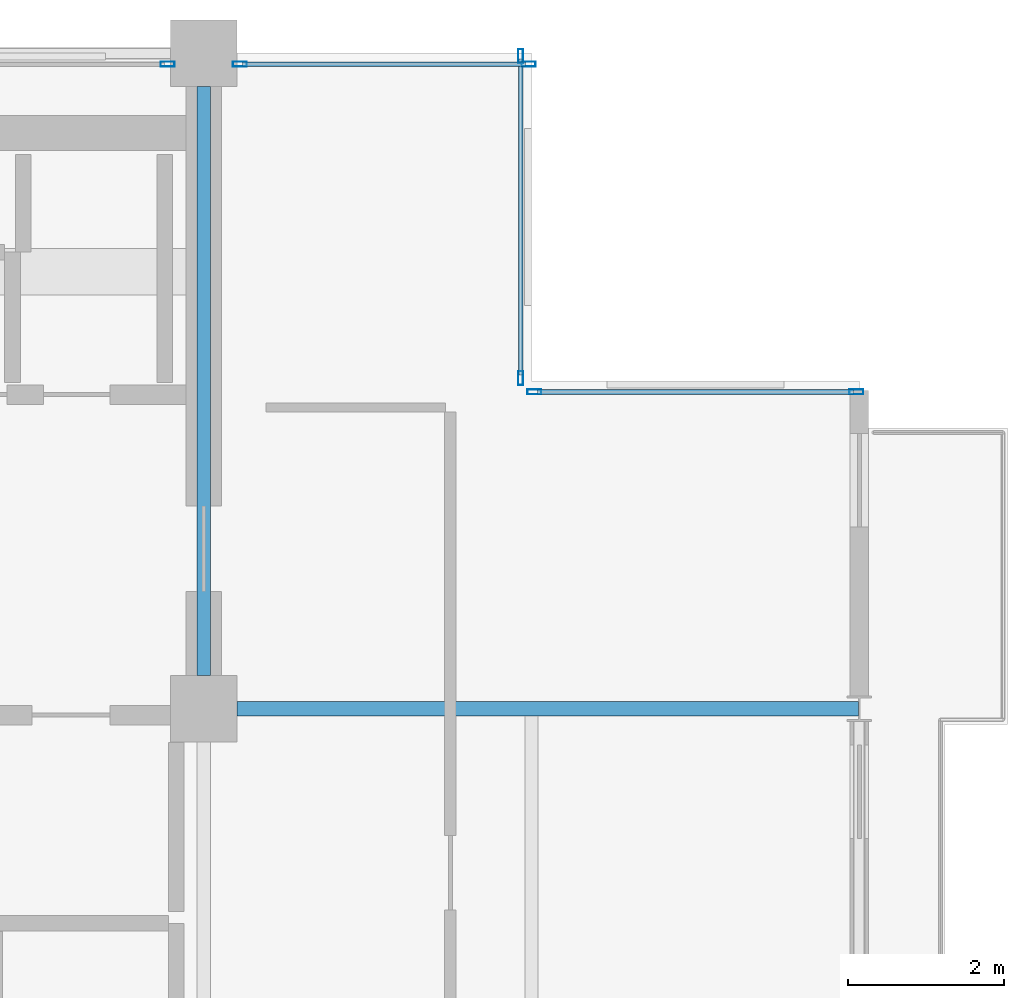
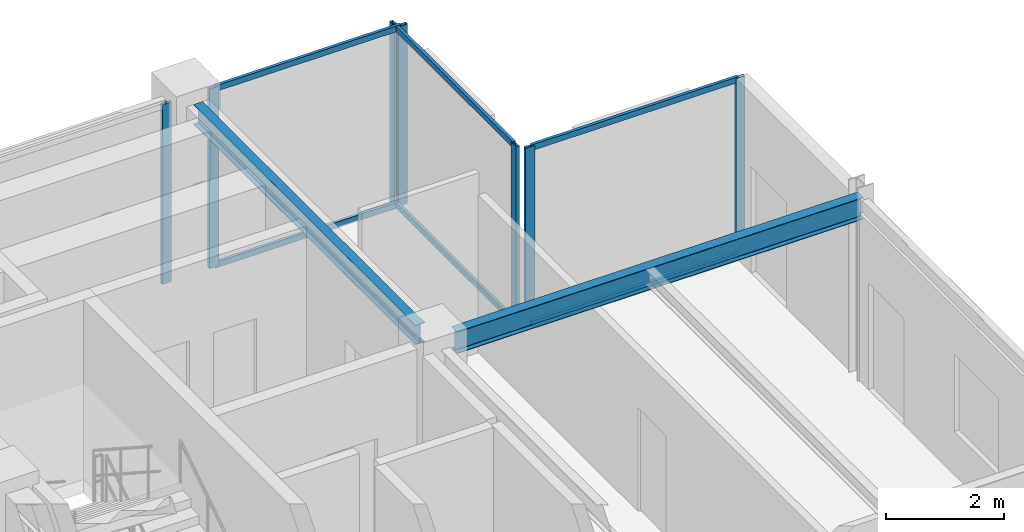
# One storey, part 19 of 26: 13 members, 2 beams, 4 elements without a shape of their own.
"""IFC4 building model written with IfcOpenShell, lengths in metres."""

from ifc_helpers import new_model, si_unit, direction, frame, origin, origin_2d, place, context, subcontext, project, spatial, hollow_rectangle, i_section, extrude, material, layer, layer_set, material_profile, profile_set, type_object, element, aggregate, save


model = new_model("IFC4")

# Units and contexts
model_context = context("Model", 3, precision=1e-05, world=origin(), true_north=direction((0.0, 1.0)))
body_context = subcontext(model_context, "Body", "Model", "MODEL_VIEW")
ifc_project = project(units=[si_unit("LENGTHUNIT", "METRE"), si_unit("AREAUNIT", "SQUARE_METRE"), si_unit("VOLUMEUNIT", "CUBIC_METRE"), si_unit("PLANEANGLEUNIT", "RADIAN"), si_unit("MASSUNIT", "GRAM", prefix="KILO")], contexts=[model_context])

# Site, building, storey
site_placement = place(None, origin())
site = spatial("IfcSite", under=ifc_project, at=site_placement, CompositionType="ELEMENT")
building_placement = place(site_placement, origin())
building = spatial("IfcBuilding", under=site, at=building_placement, Name="Nerrivon Quay Data Exchange", CompositionType="ELEMENT")
storey_placement = place(building_placement, frame((0.0, 0.0, 270.199951171875)))
storey = spatial("IfcBuildingStorey", under=building, at=storey_placement, Name="L64", CompositionType="ELEMENT", Elevation=270.199951171875)

# Beams
ifc_material_1 = material(Name="Steel Grade 350", Category="steel")
ifc_material_profile_1 = material_profile(ifc_material_1, i_section(OverallWidth=0.18994140625, OverallDepth=0.4541015625, WebThickness=0.008544921875, FlangeThickness=0.0126953125, FilletRadius=0.011474609375, at=origin_2d()), Name="460UB67.1")
ifc_profile_set_1 = profile_set([ifc_material_profile_1], Name="Steel Grade 350")
beam_type_1 = type_object("IfcBeamType", Name="BM-G6-460UB67", PredefinedType="BEAM", material=ifc_profile_set_1)
beam_1_placement = place(storey_placement, frame((17.22509765625, 33.60009765625, 3.498046875), z_axis=(1.0, 0.0, 0.0), x_axis=(0.0, 1.0, 0.0)))
element("IfcBeam", 1, at=beam_1_placement, inside=storey, type_object=beam_type_1, Name="L64 EW Girder Y=33.6 (16.8..25.2)", PredefinedType="BEAM", context=body_context, shape_type="SweptSolid", body=[
    extrude(i_section(OverallWidth=0.18994140625, OverallDepth=0.4541015625, WebThickness=0.008544921875, FlangeThickness=0.0126953125, FilletRadius=0.011474609375, at=origin_2d()), origin(), (0.0, 0.0, 1.0), 7.967041015625),
])
ifc_material_profile_2 = material_profile(ifc_material_1, i_section(OverallWidth=0.177978515625, OverallDepth=0.406005859375, WebThickness=0.0078125, FlangeThickness=0.0126953125, FilletRadius=0.011474609375, at=origin_2d()), Name="410UB59.7")
ifc_profile_set_2 = profile_set([ifc_material_profile_2], Name="Steel Grade 350")
beam_type_2 = type_object("IfcBeamType", Name="BM-J1-410UB60", PredefinedType="JOIST", material=ifc_profile_set_2)
beam_2_placement = place(storey_placement, frame((16.800048828125, 34.02490234375, 3.52197265625), z_axis=(0.0, 1.0, 0.0), x_axis=(-1.0, 0.0, 0.0)))
element("IfcBeam", 2, at=beam_2_placement, inside=storey, type_object=beam_type_2, Name="L64 NS Girder X=16.8 (33.6..42.0)", PredefinedType="JOIST", context=body_context, shape_type="SweptSolid", body=[
    extrude(i_section(OverallWidth=0.177978515625, OverallDepth=0.406005859375, WebThickness=0.0078125, FlangeThickness=0.0126953125, FilletRadius=0.011474609375, at=origin_2d()), origin(), (0.0, 0.0, 1.0), 7.550048828125),
])

# Curtain wall, member
ifc_material_2 = material(Name="Anodised aluminium 6063-T6", Category="aluminium")
ifc_layer = layer(ifc_material_2, 0.195068359375)
ifc_layer_set = layer_set([ifc_layer], Name="Anodised aluminium 6063-T6")
curtain_wall_type = type_object("IfcCurtainWallType", Name="CW-SYS-06", PredefinedType="NOTDEFINED", material=ifc_layer_set)
curtain_wall_1_placement = place(storey_placement, origin())
curtain_wall_1 = element("IfcCurtainWall", 3, at=curtain_wall_1_placement, inside=storey, type_object=curtain_wall_type, Name="L64 Unitised Curtain Wall 18", PredefinedType="NOTDEFINED")
ifc_material_profile_3 = material_profile(ifc_material_2, hollow_rectangle(XDim=0.06494140625, YDim=0.179931640625, WallThickness=0.00341796875, at=origin_2d()), Name="ALU-MULL-180x65")
ifc_profile_set_3 = profile_set([ifc_material_profile_3], Name="Anodised aluminium 6063-T6")
member_type_1 = type_object("IfcMemberType", Name="CWM-180x65", PredefinedType="MULLION", material=ifc_profile_set_3)
member_1_placement = place(storey_placement, frame((16.33740234375, 41.860107421875, 0.0), z_axis=(0.0, 0.0, 1.0), x_axis=(0.0, 1.0, 0.0)))
member_1 = element("IfcMember", 4, at=member_1_placement, type_object=member_type_1, Name="CW06 mullion 2", PredefinedType="MULLION", context=body_context, shape_type="SweptSolid", body=[
    extrude(hollow_rectangle(XDim=0.06494140625, YDim=0.179931640625, WallThickness=0.00341796875, at=origin_2d()), origin(), (0.0, 0.0, 1.0), 3.72509765625),
])
aggregate(curtain_wall_1, [member_1])

# Curtain wall, members
curtain_wall_2_placement = place(storey_placement, origin())
curtain_wall_2 = element("IfcCurtainWall", 5, at=curtain_wall_2_placement, inside=storey, type_object=curtain_wall_type, Name="L64 Unitised Curtain Wall 19", PredefinedType="NOTDEFINED")
member_2_placement = place(storey_placement, frame((17.262451171875, 41.860107421875, 0.0), z_axis=(0.0, 0.0, 1.0), x_axis=(0.0, 1.0, 0.0)))
member_2 = element("IfcMember", 6, at=member_2_placement, type_object=member_type_1, Name="CW06 mullion 1", PredefinedType="MULLION", context=body_context, shape_type="SweptSolid", body=[
    extrude(hollow_rectangle(XDim=0.06494140625, YDim=0.179931640625, WallThickness=0.00341796875, at=origin_2d()), origin(), (0.0, 0.0, 1.0), 3.72509765625),
])
member_3_placement = place(storey_placement, frame((20.96240234375, 41.860107421875, 0.0), z_axis=(0.0, 0.0, 1.0), x_axis=(0.0, 1.0, 0.0)))
member_3 = element("IfcMember", 7, at=member_3_placement, type_object=member_type_1, Name="CW06 mullion 2", PredefinedType="MULLION", context=body_context, shape_type="SweptSolid", body=[
    extrude(hollow_rectangle(XDim=0.06494140625, YDim=0.179931640625, WallThickness=0.00341796875, at=origin_2d()), origin(), (0.0, 0.0, 1.0), 3.72509765625),
])

curtain_wall_3_placement = place(storey_placement, origin())
curtain_wall_3 = element("IfcCurtainWall", 8, at=curtain_wall_3_placement, inside=storey, type_object=curtain_wall_type, Name="L64 Unitised Curtain Wall 20", PredefinedType="NOTDEFINED")
member_4_placement = place(storey_placement, frame((20.860107421875, 41.96240234375, 0.0), z_axis=(0.0, 0.0, 1.0), x_axis=(1.0, 0.0, 0.0)))
member_4 = element("IfcMember", 9, at=member_4_placement, type_object=member_type_1, Name="CW06 mullion 1", PredefinedType="MULLION", context=body_context, shape_type="SweptSolid", body=[
    extrude(hollow_rectangle(XDim=0.06494140625, YDim=0.179931640625, WallThickness=0.00341796875, at=origin_2d()), origin(), (0.0, 0.0, 1.0), 3.72509765625),
])
member_5_placement = place(storey_placement, frame((20.860107421875, 37.83740234375, 0.0), z_axis=(0.0, 0.0, 1.0), x_axis=(1.0, 0.0, 0.0)))
member_5 = element("IfcMember", 10, at=member_5_placement, type_object=member_type_1, Name="CW06 mullion 2", PredefinedType="MULLION", context=body_context, shape_type="SweptSolid", body=[
    extrude(hollow_rectangle(XDim=0.06494140625, YDim=0.179931640625, WallThickness=0.00341796875, at=origin_2d()), origin(), (0.0, 0.0, 1.0), 3.72509765625),
])

curtain_wall_4_placement = place(storey_placement, origin())
curtain_wall_4 = element("IfcCurtainWall", 11, at=curtain_wall_4_placement, inside=storey, type_object=curtain_wall_type, Name="L64 Unitised Curtain Wall 21", PredefinedType="NOTDEFINED")
member_6_placement = place(storey_placement, frame((21.03759765625, 37.659912109375, 0.0), z_axis=(0.0, 0.0, 1.0), x_axis=(0.0, 1.0, 0.0)))
member_6 = element("IfcMember", 12, at=member_6_placement, type_object=member_type_1, Name="CW06 mullion 1", PredefinedType="MULLION", context=body_context, shape_type="SweptSolid", body=[
    extrude(hollow_rectangle(XDim=0.06494140625, YDim=0.179931640625, WallThickness=0.00341796875, at=origin_2d()), origin(), (0.0, 0.0, 1.0), 3.72509765625),
])
member_7_placement = place(storey_placement, frame((25.16259765625, 37.659912109375, 0.0), z_axis=(0.0, 0.0, 1.0), x_axis=(0.0, 1.0, 0.0)))
member_7 = element("IfcMember", 13, at=member_7_placement, type_object=member_type_1, Name="CW06 mullion 2", PredefinedType="MULLION", context=body_context, shape_type="SweptSolid", body=[
    extrude(hollow_rectangle(XDim=0.06494140625, YDim=0.179931640625, WallThickness=0.00341796875, at=origin_2d()), origin(), (0.0, 0.0, 1.0), 3.72509765625),
])

# Member
ifc_material_profile_4 = material_profile(ifc_material_2, hollow_rectangle(XDim=0.06005859375, YDim=0.1201171875, WallThickness=0.003173828125, at=origin_2d()), Name="ALU-TRAN-120x60")
ifc_profile_set_4 = profile_set([ifc_material_profile_4], Name="Anodised aluminium 6063-T6")
member_type_2 = type_object("IfcMemberType", Name="CWT-120x60", PredefinedType="USERDEFINED", material=ifc_profile_set_4)
member_8_placement = place(storey_placement, frame((17.300048828125, 41.860107421875, 0.032470703125), z_axis=(1.0, 0.0, 0.0), x_axis=(0.0, 1.0, 0.0)))
member_8 = element("IfcMember", 14, at=member_8_placement, type_object=member_type_2, Name="CW06 transom 1.1", ObjectType="TRANSOM", PredefinedType="USERDEFINED", context=body_context, shape_type="SweptSolid", body=[
    extrude(hollow_rectangle(XDim=0.06005859375, YDim=0.1201171875, WallThickness=0.003173828125, at=origin_2d()), origin(), (0.0, 0.0, 1.0), 3.625),
])

member_9_placement = place(storey_placement, frame((17.300048828125, 41.860107421875, 3.692626953125), z_axis=(1.0, 0.0, 0.0), x_axis=(0.0, 1.0, 0.0)))
member_9 = element("IfcMember", 15, at=member_9_placement, type_object=member_type_2, Name="CW06 transom 1.2", ObjectType="TRANSOM", PredefinedType="USERDEFINED", context=body_context, shape_type="SweptSolid", body=[
    extrude(hollow_rectangle(XDim=0.06005859375, YDim=0.1201171875, WallThickness=0.003173828125, at=origin_2d()), origin(), (0.0, 0.0, 1.0), 3.625),
])

aggregate(curtain_wall_2, [member_2, member_3, member_8, member_9])

member_10_placement = place(storey_placement, frame((20.860107421875, 41.925048828125, 0.032470703125), z_axis=(0.0, -1.0, 0.0), x_axis=(1.0, 0.0, 0.0)))
member_10 = element("IfcMember", 16, at=member_10_placement, type_object=member_type_2, Name="CW06 transom 1.1", ObjectType="TRANSOM", PredefinedType="USERDEFINED", context=body_context, shape_type="SweptSolid", body=[
    extrude(hollow_rectangle(XDim=0.06005859375, YDim=0.1201171875, WallThickness=0.003173828125, at=origin_2d()), origin(), (0.0, 0.0, 1.0), 4.050048828125),
])

member_11_placement = place(storey_placement, frame((20.860107421875, 41.925048828125, 3.692626953125), z_axis=(0.0, -1.0, 0.0), x_axis=(1.0, 0.0, 0.0)))
member_11 = element("IfcMember", 17, at=member_11_placement, type_object=member_type_2, Name="CW06 transom 1.2", ObjectType="TRANSOM", PredefinedType="USERDEFINED", context=body_context, shape_type="SweptSolid", body=[
    extrude(hollow_rectangle(XDim=0.06005859375, YDim=0.1201171875, WallThickness=0.003173828125, at=origin_2d()), origin(), (0.0, 0.0, 1.0), 4.050048828125),
])

aggregate(curtain_wall_3, [member_4, member_5, member_10, member_11])

member_12_placement = place(storey_placement, frame((21.074951171875, 37.659912109375, 0.032470703125), z_axis=(1.0, 0.0, 0.0), x_axis=(0.0, 1.0, 0.0)))
member_12 = element("IfcMember", 18, at=member_12_placement, type_object=member_type_2, Name="CW06 transom 1.1", ObjectType="TRANSOM", PredefinedType="USERDEFINED", context=body_context, shape_type="SweptSolid", body=[
    extrude(hollow_rectangle(XDim=0.06005859375, YDim=0.1201171875, WallThickness=0.003173828125, at=origin_2d()), origin(), (0.0, 0.0, 1.0), 4.050048828125),
])

member_13_placement = place(storey_placement, frame((21.074951171875, 37.659912109375, 3.692626953125), z_axis=(1.0, 0.0, 0.0), x_axis=(0.0, 1.0, 0.0)))
member_13 = element("IfcMember", 19, at=member_13_placement, type_object=member_type_2, Name="CW06 transom 1.2", ObjectType="TRANSOM", PredefinedType="USERDEFINED", context=body_context, shape_type="SweptSolid", body=[
    extrude(hollow_rectangle(XDim=0.06005859375, YDim=0.1201171875, WallThickness=0.003173828125, at=origin_2d()), origin(), (0.0, 0.0, 1.0), 4.050048828125),
])

aggregate(curtain_wall_4, [member_6, member_7, member_12, member_13])

save(model, "model.ifc")
